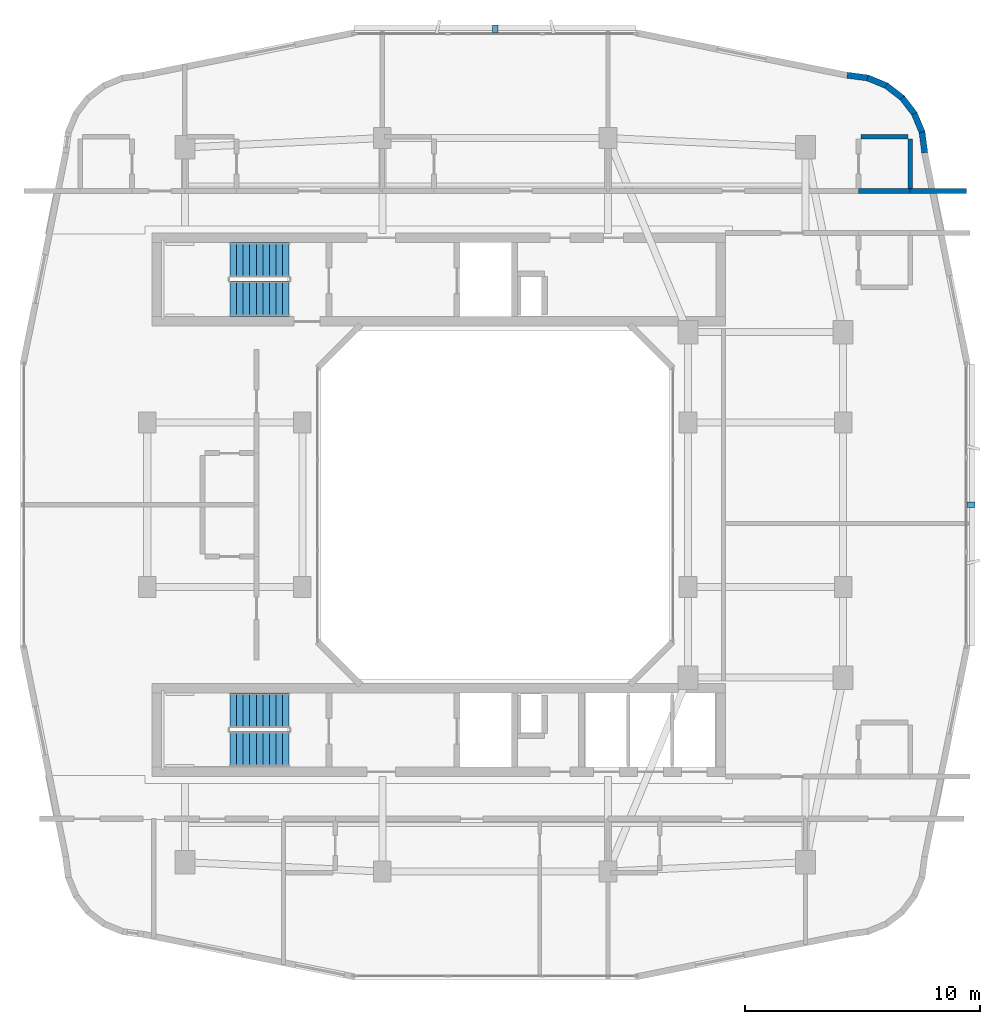
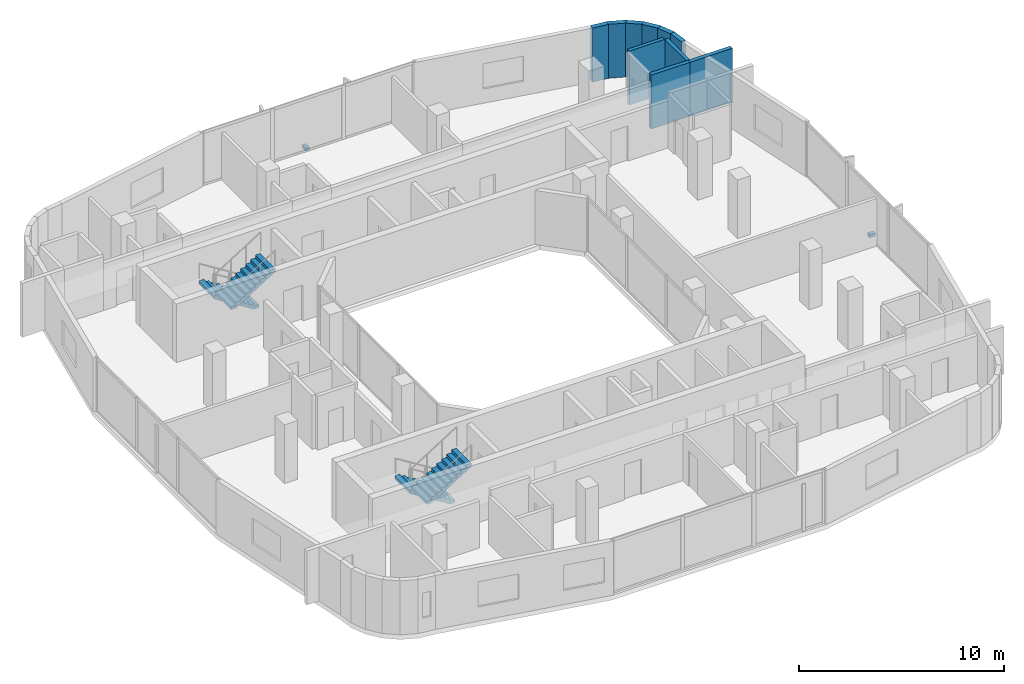
# One storey, part 10 of 14: 10 walls, 4 stair flights, 2 discrete accessories, 2 elements without a shape of their own.
"""IFC4 building model written with IfcOpenShell, lengths in metres."""

from ifc_helpers import new_model, si_unit, derived_unit, direction, frame, frame_2d, origin, origin_2d, place, context, subcontext, project, spatial, polyline, rectangle, outline, extrude, material, layer, layer_set, type_object, element, aggregate, save


model = new_model("IFC4")

# Units and contexts
model_context = context("Model", 3, precision=1e-05, world=origin(), true_north=direction((0.0, 1.0)))
body_context = subcontext(model_context, "Body", "Model", "MODEL_VIEW")
ifc_project = project(units=[si_unit("LENGTHUNIT", "METRE"), si_unit("AREAUNIT", "SQUARE_METRE"), si_unit("VOLUMEUNIT", "CUBIC_METRE"), si_unit("PLANEANGLEUNIT", "RADIAN"), si_unit("MASSUNIT", "GRAM", prefix="KILO"), derived_unit("THERMALTRANSMITTANCEUNIT", [(si_unit("POWERUNIT", "WATT"), 1), (si_unit("LENGTHUNIT", "METRE"), -2), (si_unit("THERMODYNAMICTEMPERATUREUNIT", "KELVIN"), -1)])], contexts=[model_context])

# Site, building, storey
site_placement = place(None, origin())
site = spatial("IfcSite", under=ifc_project, at=site_placement, CompositionType="ELEMENT")
building_placement = place(site_placement, origin())
building = spatial("IfcBuilding", under=site, at=building_placement, Name="Kivonza Crest Hotel", CompositionType="ELEMENT")
storey_placement = place(building_placement, frame((0.0, 0.0, 162.5)))
storey = spatial("IfcBuildingStorey", under=building, at=storey_placement, Name="L44", CompositionType="ELEMENT", Elevation=162.5)

# Walls
ifc_material_1 = material(Name="Autoclaved aerated concrete blockwork", Category="masonry")
ifc_layer_1 = layer(ifc_material_1, 0.219970703125)
ifc_layer_set_1 = layer_set([ifc_layer_1], Name="Autoclaved aerated concrete blockwork")
wall_type_1 = type_object("IfcWallType", Name="WL-ACOU-220", PredefinedType="SOLIDWALL", material=ifc_layer_set_1)
wall_1_placement = place(storey_placement, frame((38.64990234375, 38.35009765625, 0.0), z_axis=(0.0, 0.0, 1.0), x_axis=(1.0, 0.0, 0.0)))
element("IfcWall", 1, at=wall_1_placement, inside=storey, type_object=wall_type_1, Name="L44 interior partition WA-L44-N04-XCORR", PredefinedType="SOLIDWALL", context=body_context, shape_type="SweptSolid", body=[
    extrude(rectangle(XDim=2.39013671875, YDim=0.219970703125, at=frame_2d((1.195068359375, 0.0))), origin(), (0.0, 0.0, 1.0), 3.219970703125),
])
wall_2_placement = place(storey_placement, frame((36.449951171875, 38.35009765625, 0.0), z_axis=(0.0, 0.0, 1.0), x_axis=(1.0, 0.0, 0.0)))
element("IfcWall", 2, at=wall_2_placement, inside=storey, type_object=wall_type_1, Name="L44 interior partition WA-L44-N04-BCORR", PredefinedType="SOLIDWALL", context=body_context, shape_type="SweptSolid", body=[
    extrude(rectangle(XDim=2.199951171875, YDim=0.219970703125, at=frame_2d((1.10009765625, 0.0))), origin(), (0.0, 0.0, 1.0), 3.219970703125),
])
ifc_material_2 = material(Name="Precast concrete C40/50", Category="concrete")
ifc_layer_2 = layer(ifc_material_2, 0.260009765625)
ifc_layer_set_2 = layer_set([ifc_layer_2], Name="Precast concrete C40/50")
wall_type_2 = type_object("IfcWallType", Name="WL-EXT-260", PredefinedType="STANDARD", material=ifc_layer_set_2)
wall_3_placement = place(storey_placement, frame((39.27197265625, 39.97509765625, 0.0), z_axis=(0.0, 0.0, 1.0), x_axis=(-0.130953706898, 0.991388484223, 0.0)))
element("IfcWall", 3, at=wall_3_placement, inside=storey, type_object=wall_type_2, Name="L44 T1 exterior insulated wall 19", PredefinedType="STANDARD", context=body_context, shape_type="SweptSolid", body=[
    extrude(rectangle(XDim=0.885498046875, YDim=0.260009765625, at=frame_2d((0.44287109375, 0.0))), origin(), (0.0, 0.0, 1.0), 3.219970703125),
])
wall_4_placement = place(storey_placement, frame((39.174072265625, 40.806884765625, 0.0), z_axis=(0.0, 0.0, 1.0), x_axis=(-0.383290660547, 0.923627776508, 0.0)))
element("IfcWall", 4, at=wall_4_placement, inside=storey, type_object=wall_type_2, Name="L44 T1 exterior insulated wall 20", PredefinedType="STANDARD", context=body_context, shape_type="SweptSolid", body=[
    extrude(rectangle(XDim=0.9033203125, YDim=0.260009765625, at=frame_2d((0.45166015625, 0.0))), origin(), (0.0, 0.0, 1.0), 3.219970703125),
])
wall_5_placement = place(storey_placement, frame((38.85595703125, 41.60107421875, 0.0), z_axis=(0.0, 0.0, 1.0), x_axis=(-0.608624690463, 0.793458244748, 0.0)))
element("IfcWall", 5, at=wall_5_placement, inside=storey, type_object=wall_type_2, Name="L44 T1 exterior insulated wall 21", PredefinedType="STANDARD", context=body_context, shape_type="SweptSolid", body=[
    extrude(rectangle(XDim=0.902099609375, YDim=0.260009765625, at=frame_2d((0.451171875, 0.0))), origin(), (0.0, 0.0, 1.0), 3.219970703125),
])
wall_6_placement = place(storey_placement, frame((38.344970703125, 42.285888671875, 0.0), z_axis=(0.0, 0.0, 1.0), x_axis=(-0.793558456666, 0.608494022858, 0.0)))
element("IfcWall", 6, at=wall_6_placement, inside=storey, type_object=wall_type_2, Name="L44 T1 exterior insulated wall 22", PredefinedType="STANDARD", context=body_context, shape_type="SweptSolid", body=[
    extrude(rectangle(XDim=0.90234375, YDim=0.260009765625, at=frame_2d((0.451171875, 0.0))), origin(), (0.0, 0.0, 1.0), 3.219970703125),
])
wall_7_placement = place(storey_placement, frame((37.673095703125, 42.81396484375, 0.0), z_axis=(0.0, 0.0, 1.0), x_axis=(-0.923683767999, 0.383155708213, 0.0)))
element("IfcWall", 7, at=wall_7_placement, inside=storey, type_object=wall_type_2, Name="L44 T1 exterior insulated wall 23", PredefinedType="STANDARD", context=body_context, shape_type="SweptSolid", body=[
    extrude(rectangle(XDim=0.90283203125, YDim=0.260009765625, at=frame_2d((0.451416015625, 0.0))), origin(), (0.0, 0.0, 1.0), 3.219970703125),
])
wall_8_placement = place(storey_placement, frame((36.887939453125, 43.152099609375, 0.0), z_axis=(0.0, 0.0, 1.0), x_axis=(-0.991487658083, 0.130200706103, 0.0)))
element("IfcWall", 8, at=wall_8_placement, inside=storey, type_object=wall_type_2, Name="L44 T1 exterior insulated wall 24", PredefinedType="STANDARD", context=body_context, shape_type="SweptSolid", body=[
    extrude(rectangle(XDim=0.920654296875, YDim=0.260009765625, at=frame_2d((0.46044921875, 0.0))), origin(), (0.0, 0.0, 1.0), 3.219970703125),
])
ifc_material_3 = material(Name="Moisture-resistant plumbing chase partition wall", Category="gypsum")
ifc_layer_3 = layer(ifc_material_3, 0.199951171875)
ifc_layer_set_3 = layer_set([ifc_layer_3], Name="Moisture-resistant plumbing chase partition wall")
wall_type_3 = type_object("IfcWallType", Name="WL-PLUMB-200", PredefinedType="PLUMBINGWALL", material=ifc_layer_set_3)
wall_9_placement = place(storey_placement, frame((36.550048828125, 40.64990234375, 0.0), z_axis=(0.0, 0.0, 1.0), x_axis=(1.0, 0.0, 0.0)))
element("IfcWall", 9, at=wall_9_placement, inside=storey, type_object=wall_type_3, Name="L44 interior partition WW-L44-N04-BH", PredefinedType="PLUMBINGWALL", context=body_context, shape_type="SweptSolid", body=[
    extrude(rectangle(XDim=2.0, YDim=0.199951171875, at=frame_2d((1.0, 0.0))), origin(), (0.0, 0.0, 1.0), 3.219970703125),
])
wall_10_placement = place(storey_placement, frame((38.64990234375, 38.449951171875, 0.0), z_axis=(0.0, 0.0, 1.0), x_axis=(0.0, 1.0, 0.0)))
element("IfcWall", 10, at=wall_10_placement, inside=storey, type_object=wall_type_3, Name="L44 interior partition WW-L44-N04-BVE", PredefinedType="PLUMBINGWALL", context=body_context, shape_type="SweptSolid", body=[
    extrude(rectangle(XDim=2.10009765625, YDim=0.199951171875, at=frame_2d((1.050048828125, 0.0))), origin(), (0.0, 0.0, 1.0), 3.219970703125),
])

# Stair, stair flights
ifc_material_4 = material(Name="Concrete C40/50", Category="concrete")
stair_type = type_object("IfcStairType", Name="ST-DL-20R", PredefinedType="HALF_TURN_STAIR", material=ifc_material_4)
stair_1_placement = place(storey_placement, origin())
stair_1 = element("IfcStair", 11, at=stair_1_placement, inside=storey, type_object=stair_type, Name="L44 Protected Exit Stair ST-T1-N", PredefinedType="HALF_TURN_STAIR")
stair_flight_type = type_object("IfcStairFlightType", Name="SFL-RC-10R", PredefinedType="STRAIGHT", material=ifc_material_4)
stair_flight_1_placement = place(storey_placement, frame((12.239990234375, 35.409912109375, 0.0), z_axis=(0.0, 0.0, 1.0), x_axis=(-1.0, 0.0, 0.0)))
stair_flight_1 = element("IfcStairFlight", 12, at=stair_flight_1_placement, type_object=stair_flight_type, Name="ST-T1-N flight 1", NumberOfRisers=10, NumberOfTreads=9, PredefinedType="STRAIGHT", RiserHeight=0.175, TreadLength=0.28, context=body_context, shape_type="SweptSolid", body=[
    extrude(outline(polyline([(0.0, 0.0), (0.0, 0.175048828125), (0.280029296875, 0.175048828125), (0.280029296875, 0.35009765625), (0.56005859375, 0.35009765625), (0.56005859375, 0.52490234375), (0.840087890625, 0.52490234375), (0.840087890625, 0.699951171875), (1.1201171875, 0.699951171875), (1.1201171875, 0.875), (1.39990234375, 0.875), (1.39990234375, 1.050048828125), (1.679931640625, 1.050048828125), (1.679931640625, 1.22509765625), (1.9599609375, 1.22509765625), (1.9599609375, 1.39990234375), (2.239990234375, 1.39990234375), (2.239990234375, 1.574951171875), (2.52001953125, 1.574951171875), (2.52001953125, 1.75), (2.52001953125, 1.398193359375), (0.28271484375, 0.0), (0.0, 0.0)])), frame((0.0, 0.75, 0.0), z_axis=(0.0, -1.0, 0.0), x_axis=(1.0, 0.0, 0.0)), (0.0, 0.0, 1.0), 1.5),
])
stair_flight_2_placement = place(storey_placement, frame((9.719970703125, 33.77001953125, 1.75), z_axis=(0.0, 0.0, 1.0), x_axis=(1.0, 0.0, 0.0)))
stair_flight_2 = element("IfcStairFlight", 13, at=stair_flight_2_placement, type_object=stair_flight_type, Name="ST-T1-N flight 2", NumberOfRisers=10, NumberOfTreads=9, PredefinedType="STRAIGHT", RiserHeight=0.175, TreadLength=0.28, context=body_context, shape_type="SweptSolid", body=[
    extrude(outline(polyline([(0.0, 0.0), (0.0, 0.175048828125), (0.280029296875, 0.175048828125), (0.280029296875, 0.35009765625), (0.56005859375, 0.35009765625), (0.56005859375, 0.52490234375), (0.840087890625, 0.52490234375), (0.840087890625, 0.699951171875), (1.1201171875, 0.699951171875), (1.1201171875, 0.875), (1.39990234375, 0.875), (1.39990234375, 1.050048828125), (1.679931640625, 1.050048828125), (1.679931640625, 1.22509765625), (1.9599609375, 1.22509765625), (1.9599609375, 1.39990234375), (2.239990234375, 1.39990234375), (2.239990234375, 1.574951171875), (2.52001953125, 1.574951171875), (2.52001953125, 1.75), (2.52001953125, 1.398193359375), (0.28271484375, 0.0), (0.0, 0.0)])), frame((0.0, 0.75, 0.0), z_axis=(0.0, -1.0, 0.0), x_axis=(1.0, 0.0, 0.0)), (0.0, 0.0, 1.0), 1.5),
])
aggregate(stair_1, [stair_flight_1, stair_flight_2])

stair_2_placement = place(storey_placement, origin())
stair_2 = element("IfcStair", 14, at=stair_2_placement, inside=storey, type_object=stair_type, Name="L44 Protected Exit Stair ST-T1-S", PredefinedType="HALF_TURN_STAIR")
stair_flight_3_placement = place(storey_placement, frame((12.239990234375, 16.25, 0.0), z_axis=(0.0, 0.0, 1.0), x_axis=(-1.0, 0.0, 0.0)))
stair_flight_3 = element("IfcStairFlight", 15, at=stair_flight_3_placement, type_object=stair_flight_type, Name="ST-T1-S flight 1", NumberOfRisers=10, NumberOfTreads=9, PredefinedType="STRAIGHT", RiserHeight=0.175, TreadLength=0.28, context=body_context, shape_type="SweptSolid", body=[
    extrude(outline(polyline([(0.0, 0.0), (0.0, 0.175048828125), (0.280029296875, 0.175048828125), (0.280029296875, 0.35009765625), (0.56005859375, 0.35009765625), (0.56005859375, 0.52490234375), (0.840087890625, 0.52490234375), (0.840087890625, 0.699951171875), (1.1201171875, 0.699951171875), (1.1201171875, 0.875), (1.39990234375, 0.875), (1.39990234375, 1.050048828125), (1.679931640625, 1.050048828125), (1.679931640625, 1.22509765625), (1.9599609375, 1.22509765625), (1.9599609375, 1.39990234375), (2.239990234375, 1.39990234375), (2.239990234375, 1.574951171875), (2.52001953125, 1.574951171875), (2.52001953125, 1.75), (2.52001953125, 1.398193359375), (0.28271484375, 0.0), (0.0, 0.0)])), frame((0.0, 0.75, 0.0), z_axis=(0.0, -1.0, 0.0), x_axis=(1.0, 0.0, 0.0)), (0.0, 0.0, 1.0), 1.5),
])
stair_flight_4_placement = place(storey_placement, frame((9.719970703125, 14.610107421875, 1.75), z_axis=(0.0, 0.0, 1.0), x_axis=(1.0, 0.0, 0.0)))
stair_flight_4 = element("IfcStairFlight", 16, at=stair_flight_4_placement, type_object=stair_flight_type, Name="ST-T1-S flight 2", NumberOfRisers=10, NumberOfTreads=9, PredefinedType="STRAIGHT", RiserHeight=0.175, TreadLength=0.28, context=body_context, shape_type="SweptSolid", body=[
    extrude(outline(polyline([(0.0, 0.0), (0.0, 0.175048828125), (0.280029296875, 0.175048828125), (0.280029296875, 0.35009765625), (0.56005859375, 0.35009765625), (0.56005859375, 0.52490234375), (0.840087890625, 0.52490234375), (0.840087890625, 0.699951171875), (1.1201171875, 0.699951171875), (1.1201171875, 0.875), (1.39990234375, 0.875), (1.39990234375, 1.050048828125), (1.679931640625, 1.050048828125), (1.679931640625, 1.22509765625), (1.9599609375, 1.22509765625), (1.9599609375, 1.39990234375), (2.239990234375, 1.39990234375), (2.239990234375, 1.574951171875), (2.52001953125, 1.574951171875), (2.52001953125, 1.75), (2.52001953125, 1.398193359375), (0.28271484375, 0.0), (0.0, 0.0)])), frame((0.0, 0.75, 0.0), z_axis=(0.0, -1.0, 0.0), x_axis=(1.0, 0.0, 0.0)), (0.0, 0.0, 1.0), 1.5),
])
aggregate(stair_2, [stair_flight_3, stair_flight_4])

# Discrete accessories
ifc_material_5 = material(Name="Stainless steel 316", Category="steel")
discrete_accessory_type = type_object("IfcDiscreteAccessoryType", Name="AC-BRACKET-240", PredefinedType="BRACKET", material=ifc_material_5)
for number, where, z_axis, x_axis, name in (
    (17, (41.239990234375, 25.0, -0.009765625), (0.0, 0.0, 1.0), (0.0, 1.0, 0.0), "L44 terracotta baguette support bracket CW-T1-L44-17"),
    (18, (21.0, 45.239990234375, -0.009765625), (0.0, 0.0, 1.0), (-1.0, 0.0, 0.0), "L44 terracotta baguette support bracket CW-T1-L44-26"),
):
    element("IfcDiscreteAccessory", number, at=place(storey_placement, frame(where, z_axis=z_axis, x_axis=x_axis)), inside=storey, type_object=discrete_accessory_type, Name=name, PredefinedType="BRACKET", context=body_context, shape_type="SweptSolid", body=[
        extrude(rectangle(XDim=0.219970703125, YDim=0.340087890625, at=origin_2d()), origin(), (0.0, 0.0, 1.0), 0.179931640625),
    ])

save(model, "model.ifc")
